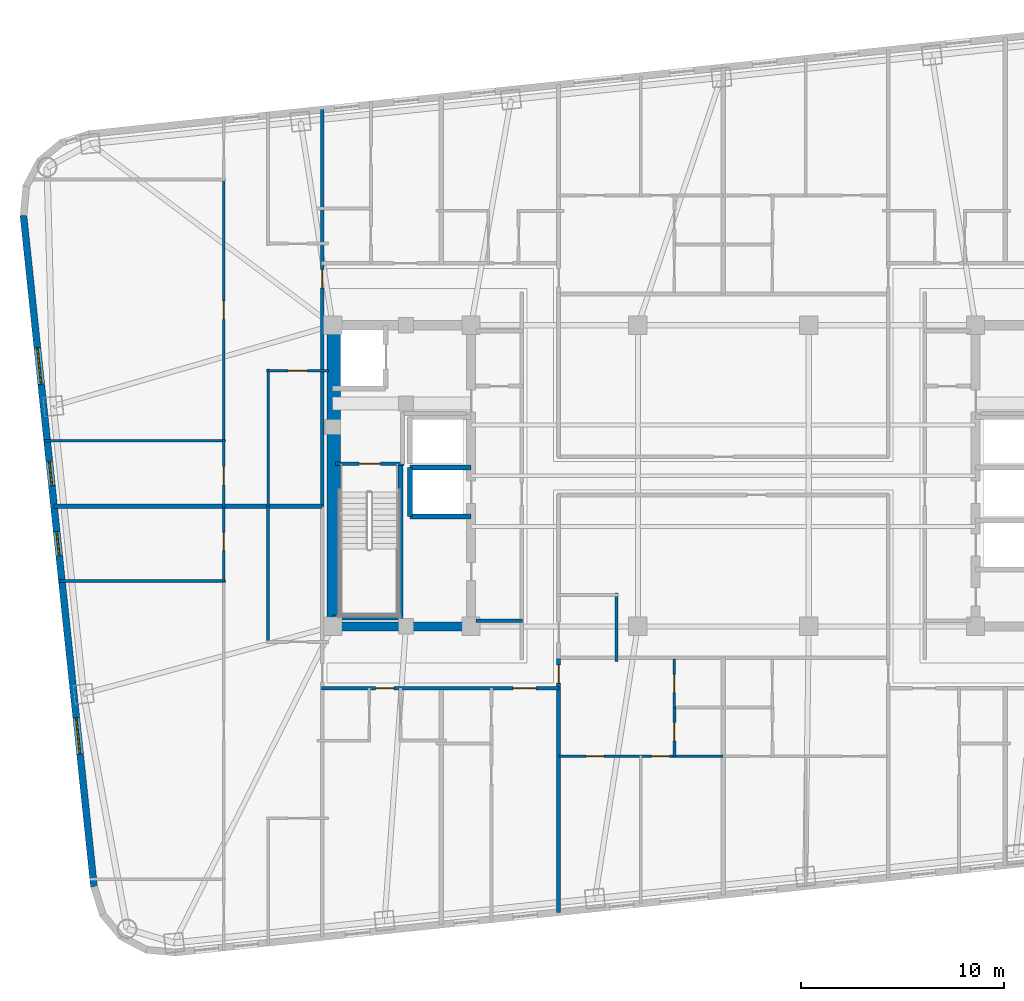
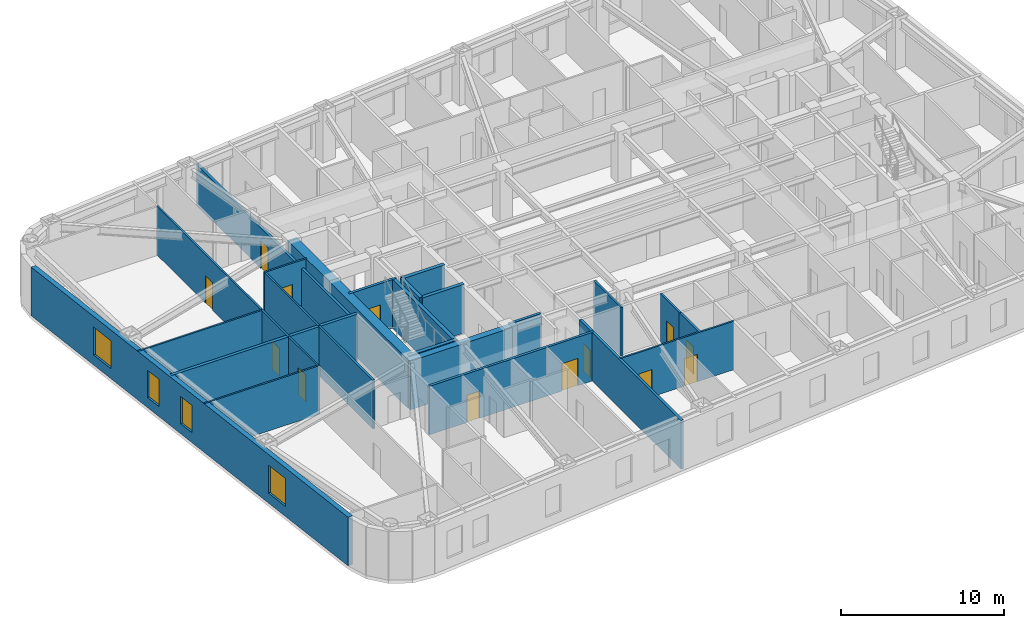
# One storey, part 3 of 12: 26 walls, 13 doors, 4 windows, 17 openings.
"""IFC4 building model written with IfcOpenShell, lengths in metres."""

from ifc_helpers import new_model, si_unit, direction, frame, frame_2d, origin, place, context, subcontext, project, spatial, rectangle, extrude, material, layer, layer_set, type_object, element, fill, save


model = new_model("IFC4")

# Units and contexts
model_context = context("Model", 3, precision=1e-05, world=origin(), true_north=direction((0.0, 1.0)))
body_context = subcontext(model_context, "Body", "Model", "MODEL_VIEW")
ifc_project = project(units=[si_unit("LENGTHUNIT", "METRE"), si_unit("AREAUNIT", "SQUARE_METRE"), si_unit("VOLUMEUNIT", "CUBIC_METRE"), si_unit("PLANEANGLEUNIT", "RADIAN"), si_unit("MASSUNIT", "GRAM", prefix="KILO")], contexts=[model_context])

# Site, building, storey
site_placement = place(None, origin())
site = spatial("IfcSite", under=ifc_project, at=site_placement, CompositionType="ELEMENT")
building_placement = place(site_placement, origin())
building = spatial("IfcBuilding", under=site, at=building_placement, Name="Voryun Gate Residences", CompositionType="ELEMENT")
storey_placement = place(building_placement, frame((0.0, 0.0, 159.89990234375)))
storey = spatial("IfcBuildingStorey", under=building, at=storey_placement, Name="L39", CompositionType="ELEMENT", Elevation=159.89990234375)

# Walls
ifc_material_1 = material(Name="Concrete C50/60", Category="concrete")
ifc_layer_1 = layer(ifc_material_1, 0.449951171875, Name="CW_CORE_450")
ifc_layer_set_1 = layer_set([ifc_layer_1], Name="Concrete C50/60")
wall_type_1 = type_object("IfcWallType", Name="CW_CORE_450", PredefinedType="SHEAR", material=ifc_layer_set_1)
wall_1_placement = place(storey_placement, frame((-19.425048828125, -7.39990234375, 0.0), z_axis=(0.0, 0.0, 1.0), x_axis=(1.0, 0.0, 0.0)))
element("IfcWall", 1, at=wall_1_placement, inside=storey, type_object=wall_type_1, Name="L39 Core shear wall CW-L39-WS", PredefinedType="SHEAR", context=body_context, shape_type="SweptSolid", body=[
    extrude(rectangle(XDim=7.25, YDim=0.449951171875, at=frame_2d((3.625, 0.0))), origin(), (0.0, 0.0, 1.0), 3.650146484375),
])
ifc_material_2 = material(Name="Concrete C60/75", Category="concrete")
ifc_layer_2 = layer(ifc_material_2, 0.64990234375, Name="CW_CORE_650")
ifc_layer_set_2 = layer_set([ifc_layer_2], Name="Concrete C60/75")
wall_type_2 = type_object("IfcWallType", Name="CW_CORE_650", PredefinedType="SHEAR", material=ifc_layer_set_2)
wall_2_placement = place(storey_placement, frame((-19.14501953125, -7.39990234375, 0.0), z_axis=(0.0, 0.0, 1.0), x_axis=(0.0, 1.0, 0.0)))
element("IfcWall", 2, at=wall_2_placement, inside=storey, type_object=wall_type_2, Name="L39 Core shear wall CW-L39-WW", PredefinedType="SHEAR", context=body_context, shape_type="SweptSolid", body=[
    extrude(rectangle(XDim=14.7998046875, YDim=0.64990234375, at=frame_2d((7.39990234375, 0.0))), origin(), (0.0, 0.0, 1.0), 3.650146484375),
])

# Wall, opening, door
ifc_material_3 = material(Name="Gypsum acoustic fireboard")
ifc_layer_3 = layer(ifc_material_3, 0.179931640625, Name="W_CORR_RATED_180")
ifc_layer_set_3 = layer_set([ifc_layer_3], Name="Gypsum acoustic fireboard")
wall_type_3 = type_object("IfcWallType", Name="W_CORR_RATED_180", PredefinedType="PARTITIONING", material=ifc_layer_set_3)
wall_3_placement = place(storey_placement, frame((-19.06005859375, 0.60009765625, 0.0), z_axis=(0.0, 0.0, 1.0), x_axis=(1.0, 0.0, 0.0)))
wall_3 = element("IfcWall", 3, at=wall_3_placement, inside=storey, type_object=wall_type_3, Name="Partition wall WP-L39-STV-W", PredefinedType="PARTITIONING", context=body_context, shape_type="SweptSolid", body=[
    extrude(rectangle(XDim=3.360107421875, YDim=0.179931640625, at=frame_2d((1.68017578125, 0.0))), origin(), (0.0, 0.0, 1.0), 3.650146484375),
])
opening_1_placement = place(wall_3_placement, frame((1.155029296875, 0.0, 0.0)))
opening_1 = element("IfcOpeningElement", 4, at=opening_1_placement, cuts=wall_3, Name="Opening D-FD60-1", PredefinedType="OPENING", context=body_context, shape_type="SweptSolid", body=[
    extrude(rectangle(XDim=1.050048828125, YDim=2.050048828125, at=frame_2d((0.52490234375, 1.02490234375))), frame((0.0, 0.099853515625, 0.0), z_axis=(0.0, -1.0, 0.0), x_axis=(1.0, 0.0, 0.0)), (0.0, 0.0, 1.0), 0.199951171875),
])
ifc_material_4 = material(Name="Painted steel fire door", Category="steel")
door_type_1 = type_object("IfcDoorType", Name="DR_FD60_STAIR_1050", OperationType="NOTDEFINED", PredefinedType="DOOR", material=ifc_material_4)
door_1_placement = place(opening_1_placement, origin())
door_1 = element("IfcDoor", 5, at=door_1_placement, inside=storey, type_object=door_type_1, Name="Door DR-L39-ST-W", OperationType="SINGLE_SWING_LEFT", OverallHeight=2.050048828125, OverallWidth=1.050048828125, PredefinedType="DOOR", context=body_context, shape_type="SweptSolid", body=[
    extrude(rectangle(XDim=1.050048828125, YDim=2.050048828125, at=frame_2d((0.52490234375, 1.02490234375))), frame((0.0, 0.02490234375, 0.0), z_axis=(0.0, -1.0, 0.0), x_axis=(1.0, 0.0, 0.0)), (0.0, 0.0, 1.0), 0.050048828125),
])
fill(opening_1, door_1)

# Wall
wall_4_placement = place(storey_placement, frame((-12.14990234375, -7.1201171875, 0.0), z_axis=(0.0, 0.0, 1.0), x_axis=(1.0, 0.0, 0.0)))
element("IfcWall", 6, at=wall_4_placement, inside=storey, type_object=wall_type_3, Name="Partition wall WP-L39-PLBS-W", PredefinedType="PARTITIONING", context=body_context, shape_type="SweptSolid", body=[
    extrude(rectangle(XDim=2.27001953125, YDim=0.179931640625, at=frame_2d((1.135009765625, 0.0))), origin(), (0.0, 0.0, 1.0), 3.650146484375),
])

# Wall, openings, doors
wall_5_placement = place(storey_placement, frame((-19.75, -10.449951171875, 0.0), z_axis=(0.0, 0.0, 1.0), x_axis=(1.0, 0.0, 0.0)))
wall_5 = element("IfcWall", 7, at=wall_5_placement, inside=storey, type_object=wall_type_3, Name="Partition wall WP-L39-SCORR-W", PredefinedType="PARTITIONING", context=body_context, shape_type="SweptSolid", body=[
    extrude(rectangle(XDim=11.669921875, YDim=0.179931640625, at=frame_2d((5.8349609375, 0.0))), origin(), (0.0, 0.0, 1.0), 3.650146484375),
])
opening_2_placement = place(wall_5_placement, frame((2.66357421875, 0.0, 0.0)))
opening_2 = element("IfcOpeningElement", 8, at=opening_2_placement, cuts=wall_5, Name="Opening D-INT-2", PredefinedType="OPENING", context=body_context, shape_type="SweptSolid", body=[
    extrude(rectangle(XDim=0.89990234375, YDim=2.050048828125, at=frame_2d((0.449951171875, 1.02490234375))), frame((0.0, 0.099853515625, 0.0), z_axis=(0.0, -1.0, 0.0), x_axis=(1.0, 0.0, 0.0)), (0.0, 0.0, 1.0), 0.199951171875),
])
opening_3_placement = place(wall_5_placement, frame((9.404052734375, 0.0, 0.0)))
opening_3 = element("IfcOpeningElement", 9, at=opening_3_placement, cuts=wall_5, Name="Opening D-UNIT-1", PredefinedType="OPENING", context=body_context, shape_type="SweptSolid", body=[
    extrude(rectangle(XDim=1.14990234375, YDim=2.050048828125, at=frame_2d((0.574951171875, 1.02490234375))), frame((0.0, 0.099853515625, 0.0), z_axis=(0.0, -1.0, 0.0), x_axis=(1.0, 0.0, 0.0)), (0.0, 0.0, 1.0), 0.199951171875),
])
ifc_material_5 = material(Name="Architectural oak veneer")
door_type_2 = type_object("IfcDoorType", Name="DR_INT_BATH_900", OperationType="NOTDEFINED", PredefinedType="DOOR", material=ifc_material_5)
door_2_placement = place(opening_2_placement, origin())
door_2 = element("IfcDoor", 10, at=door_2_placement, inside=storey, type_object=door_type_2, Name="Door DR-L39-SENT-1", OperationType="SINGLE_SWING_RIGHT", OverallHeight=2.050048828125, OverallWidth=0.89990234375, PredefinedType="DOOR", context=body_context, shape_type="SweptSolid", body=[
    extrude(rectangle(XDim=0.89990234375, YDim=2.050048828125, at=frame_2d((0.449951171875, 1.02490234375))), frame((0.0, 0.02490234375, 0.0), z_axis=(0.0, -1.0, 0.0), x_axis=(1.0, 0.0, 0.0)), (0.0, 0.0, 1.0), 0.050048828125),
])
fill(opening_2, door_2)
ifc_material_6 = material(Name="Armoured timber-clad fire door", Category="wood")
door_type_3 = type_object("IfcDoorType", Name="DR_UNIT_ENTRY_1150", OperationType="NOTDEFINED", PredefinedType="DOOR", material=ifc_material_6)
door_3_placement = place(opening_3_placement, origin())
door_3 = element("IfcDoor", 11, at=door_3_placement, inside=storey, type_object=door_type_3, Name="Door DR-L39-SENT-2", OperationType="SINGLE_SWING_LEFT", OverallHeight=2.050048828125, OverallWidth=1.14990234375, PredefinedType="DOOR", context=body_context, shape_type="SweptSolid", body=[
    extrude(rectangle(XDim=1.14990234375, YDim=2.050048828125, at=frame_2d((0.574951171875, 1.02490234375))), frame((0.0, 0.02490234375, 0.0), z_axis=(0.0, -1.0, 0.0), x_axis=(1.0, 0.0, 0.0)), (0.0, 0.0, 1.0), 0.050048828125),
])
fill(opening_3, door_3)

# Wall, opening, door
wall_6_placement = place(storey_placement, frame((-8.10009765625, -21.456298828125, 0.0), z_axis=(0.0, 0.0, 1.0), x_axis=(0.0, 1.0, 0.0)))
wall_6 = element("IfcWall", 12, at=wall_6_placement, inside=storey, type_object=wall_type_3, Name="Partition wall WP-L39-SZV-1", PredefinedType="PARTITIONING", context=body_context, shape_type="SweptSolid", body=[
    extrude(rectangle(XDim=12.516357421875, YDim=0.179931640625, at=frame_2d((6.25830078125, 0.0))), origin(), (0.0, 0.0, 1.0), 3.650146484375),
])
opening_4_placement = place(wall_6_placement, frame((11.2666015625, 0.0, 0.0)))
opening_4 = element("IfcOpeningElement", 13, at=opening_4_placement, cuts=wall_6, Name="Opening D-INT-2", PredefinedType="OPENING", context=body_context, shape_type="SweptSolid", body=[
    extrude(rectangle(XDim=0.89990234375, YDim=2.050048828125, at=frame_2d((0.449951171875, 1.02490234375))), frame((0.0, 0.099853515625, 0.0), z_axis=(0.0, -1.0, 0.0), x_axis=(1.0, 0.0, 0.0)), (0.0, 0.0, 1.0), 0.199951171875),
])
door_4_placement = place(opening_4_placement, origin())
door_4 = element("IfcDoor", 14, at=door_4_placement, inside=storey, type_object=door_type_2, Name="Door DR-L39-SZENT-1", OperationType="SINGLE_SWING_LEFT", OverallHeight=2.050048828125, OverallWidth=0.89990234375, PredefinedType="DOOR", context=body_context, shape_type="SweptSolid", body=[
    extrude(rectangle(XDim=0.89990234375, YDim=2.050048828125, at=frame_2d((0.449951171875, 1.02490234375))), frame((0.0, 0.02490234375, 0.0), z_axis=(0.0, -1.0, 0.0), x_axis=(1.0, 0.0, 0.0)), (0.0, 0.0, 1.0), 0.050048828125),
])
fill(opening_4, door_4)

wall_7_placement = place(storey_placement, frame((-19.719970703125, -1.5, 0.0), z_axis=(0.0, 0.0, 1.0), x_axis=(0.0, 1.0, 0.0)))
wall_7 = element("IfcWall", 15, at=wall_7_placement, inside=storey, type_object=wall_type_3, Name="Partition wall WP-L39-WCOR2", PredefinedType="PARTITIONING", context=body_context, shape_type="SweptSolid", body=[
    extrude(rectangle(XDim=19.505126953125, YDim=0.179931640625, at=frame_2d((9.75244140625, 0.0))), origin(), (0.0, 0.0, 1.0), 3.0400390625),
])
opening_5_placement = place(wall_7_placement, frame((10.730224609375, 0.0, 0.0)))
opening_5 = element("IfcOpeningElement", 16, at=opening_5_placement, cuts=wall_7, Name="Opening D-INT-2", PredefinedType="OPENING", context=body_context, shape_type="SweptSolid", body=[
    extrude(rectangle(XDim=0.89990234375, YDim=2.050048828125, at=frame_2d((0.449951171875, 1.02490234375))), frame((0.0, 0.099853515625, 0.0), z_axis=(0.0, -1.0, 0.0), x_axis=(1.0, 0.0, 0.0)), (0.0, 0.0, 1.0), 0.199951171875),
])
door_5_placement = place(opening_5_placement, origin())
door_5 = element("IfcDoor", 17, at=door_5_placement, inside=storey, type_object=door_type_2, Name="Door DR-L39-WE2", OperationType="SINGLE_SWING_RIGHT", OverallHeight=2.050048828125, OverallWidth=0.89990234375, PredefinedType="DOOR", context=body_context, shape_type="SweptSolid", body=[
    extrude(rectangle(XDim=0.89990234375, YDim=2.050048828125, at=frame_2d((0.449951171875, 1.02490234375))), frame((0.0, 0.02490234375, 0.0), z_axis=(0.0, -1.0, 0.0), x_axis=(1.0, 0.0, 0.0)), (0.0, 0.0, 1.0), 0.050048828125),
])
fill(opening_5, door_5)

# Wall, openings, windows
ifc_material_7 = material(Name="Charcoal terracotta masonry", Category="masonry")
ifc_layer_4 = layer(ifc_material_7, 0.340087890625, Name="W_EXT_TERRACOTTA_340")
ifc_layer_set_4 = layer_set([ifc_layer_4], Name="Charcoal terracotta masonry")
wall_type_4 = type_object("IfcWallType", Name="W_EXT_TERRACOTTA_340", PredefinedType="ELEMENTEDWALL", material=ifc_layer_set_4)
wall_8_placement = place(storey_placement, frame((-30.934326171875, -20.189697265625, 0.0), z_axis=(0.0, 0.0, 1.0), x_axis=(-0.10452691388, 0.994522058214, 0.0)))
wall_8 = element("IfcWall", 18, at=wall_8_placement, inside=storey, type_object=wall_type_4, Name="Exterior wall WEXT-L39-06", PredefinedType="ELEMENTEDWALL", context=body_context, shape_type="SweptSolid", body=[
    extrude(rectangle(XDim=33.16650390625, YDim=0.340087890625, at=frame_2d((16.583251953125, 0.0))), origin(), (0.0, 0.0, 1.0), 3.650146484375),
])
opening_6_placement = place(wall_8_placement, frame((6.54150390625, 0.0, 0.75)))
opening_6 = element("IfcOpeningElement", 19, at=opening_6_placement, cuts=wall_8, Name="Opening WN1", PredefinedType="OPENING", context=body_context, shape_type="SweptSolid", body=[
    extrude(rectangle(XDim=1.800048828125, YDim=2.10009765625, at=frame_2d((0.89990234375, 1.050048828125))), frame((0.0, 0.179931640625, 0.0), z_axis=(0.0, -1.0, 0.0), x_axis=(1.0, 0.0, 0.0)), (0.0, 0.0, 1.0), 0.360107421875),
])
opening_7_placement = place(wall_8_placement, frame((24.824951171875, 0.0, 0.75)))
opening_7 = element("IfcOpeningElement", 20, at=opening_7_placement, cuts=wall_8, Name="Opening WN1", PredefinedType="OPENING", context=body_context, shape_type="SweptSolid", body=[
    extrude(rectangle(XDim=1.800048828125, YDim=2.10009765625, at=frame_2d((0.89990234375, 1.050048828125))), frame((0.0, 0.179931640625, 0.0), z_axis=(0.0, -1.0, 0.0), x_axis=(1.0, 0.0, 0.0)), (0.0, 0.0, 1.0), 0.360107421875),
])
opening_8_placement = place(wall_8_placement, frame((16.344482421875, 0.0, 0.75)))
opening_8 = element("IfcOpeningElement", 21, at=opening_8_placement, cuts=wall_8, Name="Opening WN6", PredefinedType="OPENING", context=body_context, shape_type="SweptSolid", body=[
    extrude(rectangle(XDim=1.199951171875, YDim=2.050048828125, at=frame_2d((0.60009765625, 1.02490234375))), frame((0.0, 0.179931640625, 0.0), z_axis=(0.0, -1.0, 0.0), x_axis=(1.0, 0.0, 0.0)), (0.0, 0.0, 1.0), 0.360107421875),
])
opening_9_placement = place(wall_8_placement, frame((19.810546875, 0.0, 0.75)))
opening_9 = element("IfcOpeningElement", 22, at=opening_9_placement, cuts=wall_8, Name="Opening WN6", PredefinedType="OPENING", context=body_context, shape_type="SweptSolid", body=[
    extrude(rectangle(XDim=1.199951171875, YDim=2.050048828125, at=frame_2d((0.60009765625, 1.02490234375))), frame((0.0, 0.179931640625, 0.0), z_axis=(0.0, -1.0, 0.0), x_axis=(1.0, 0.0, 0.0)), (0.0, 0.0, 1.0), 0.360107421875),
])
ifc_material_8 = material(Name="Laminated low-E glass", Category="glass")
window_type_1 = type_object("IfcWindowType", Name="WN_POD_SLOT_1200", PartitioningType="SINGLE_PANEL", PredefinedType="WINDOW", material=ifc_material_8)
window_1_placement = place(opening_8_placement, origin())
window_1 = element("IfcWindow", 23, at=window_1_placement, inside=storey, type_object=window_type_1, Name="Window WN-L39-DWFIX-21", OverallHeight=2.050048828125, OverallWidth=1.199951171875, PartitioningType="SINGLE_PANEL", PredefinedType="WINDOW", context=body_context, shape_type="SweptSolid", body=[
    extrude(rectangle(XDim=1.199951171875, YDim=2.050048828125, at=frame_2d((0.60009765625, 1.02490234375))), frame((0.0, 0.030029296875, 0.0), z_axis=(0.0, -1.0, 0.0), x_axis=(1.0, 0.0, 0.0)), (0.0, 0.0, 1.0), 0.06005859375),
])
fill(opening_8, window_1)
window_2_placement = place(opening_9_placement, origin())
window_2 = element("IfcWindow", 24, at=window_2_placement, inside=storey, type_object=window_type_1, Name="Window WN-L39-DWFIX-25", OverallHeight=2.050048828125, OverallWidth=1.199951171875, PartitioningType="SINGLE_PANEL", PredefinedType="WINDOW", context=body_context, shape_type="SweptSolid", body=[
    extrude(rectangle(XDim=1.199951171875, YDim=2.050048828125, at=frame_2d((0.60009765625, 1.02490234375))), frame((0.0, 0.030029296875, 0.0), z_axis=(0.0, -1.0, 0.0), x_axis=(1.0, 0.0, 0.0)), (0.0, 0.0, 1.0), 0.06005859375),
])
fill(opening_9, window_2)
ifc_material_9 = material(Name="Laminated low-E glass", Category="glass")
window_type_2 = type_object("IfcWindowType", Name="WN_RES_PUNCH_1800", PartitioningType="SINGLE_PANEL", PredefinedType="WINDOW", material=ifc_material_9)
window_3_placement = place(opening_6_placement, origin())
window_3 = element("IfcWindow", 25, at=window_3_placement, inside=storey, type_object=window_type_2, Name="Window WN-WEXT-L39-06-01", OverallHeight=2.10009765625, OverallWidth=1.800048828125, PartitioningType="SINGLE_PANEL", PredefinedType="WINDOW", context=body_context, shape_type="SweptSolid", body=[
    extrude(rectangle(XDim=1.800048828125, YDim=2.10009765625, at=frame_2d((0.89990234375, 1.050048828125))), frame((0.0, 0.030029296875, 0.0), z_axis=(0.0, -1.0, 0.0), x_axis=(1.0, 0.0, 0.0)), (0.0, 0.0, 1.0), 0.06005859375),
])
fill(opening_6, window_3)
window_4_placement = place(opening_7_placement, origin())
window_4 = element("IfcWindow", 26, at=window_4_placement, inside=storey, type_object=window_type_2, Name="Window WN-WEXT-L39-06-02", OverallHeight=2.10009765625, OverallWidth=1.800048828125, PartitioningType="SINGLE_PANEL", PredefinedType="WINDOW", context=body_context, shape_type="SweptSolid", body=[
    extrude(rectangle(XDim=1.800048828125, YDim=2.10009765625, at=frame_2d((0.89990234375, 1.050048828125))), frame((0.0, 0.030029296875, 0.0), z_axis=(0.0, -1.0, 0.0), x_axis=(1.0, 0.0, 0.0)), (0.0, 0.0, 1.0), 0.06005859375),
])
fill(opening_7, window_4)

# Walls
ifc_material_10 = material(Name="Concrete C40/50", Category="concrete")
ifc_layer_5 = layer(ifc_material_10, 0.219970703125, Name="W_PARTY_ACOUSTIC_220")
ifc_layer_set_5 = layer_set([ifc_layer_5], Name="Concrete C40/50")
wall_type_5 = type_object("IfcWallType", Name="W_PARTY_ACOUSTIC_220", PredefinedType="PARTITIONING", material=ifc_layer_set_5)
wall_9_placement = place(storey_placement, frame((-19.719970703125, -1.5, 0.0), z_axis=(0.0, 0.0, 1.0), x_axis=(-1.0, 0.0, 0.0)))
element("IfcWall", 27, at=wall_9_placement, inside=storey, type_object=wall_type_5, Name="Partition wall WP-L39-WPTY", PredefinedType="PARTITIONING", context=body_context, shape_type="SweptSolid", body=[
    extrude(rectangle(XDim=13.1787109375, YDim=0.219970703125, at=frame_2d((6.58935546875, 0.0))), origin(), (0.0, 0.0, 1.0), 3.650146484375),
])
ifc_material_11 = material(Name="Concrete C50/60", Category="concrete")
ifc_layer_6 = layer(ifc_material_11, 0.25, Name="W_SHAFT_RC250")
ifc_layer_set_6 = layer_set([ifc_layer_6], Name="Concrete C50/60")
wall_type_6 = type_object("IfcWallType", Name="W_SHAFT_RC250", PredefinedType="SOLIDWALL", material=ifc_layer_set_6)
wall_10_placement = place(storey_placement, frame((-15.860107421875, -7.0849609375, 0.0), z_axis=(0.0, 0.0, 1.0), x_axis=(0.0, 1.0, 0.0)))
element("IfcWall", 28, at=wall_10_placement, inside=storey, type_object=wall_type_6, Name="L39 Stair shaft structural wall W-STR", PredefinedType="SOLIDWALL", context=body_context, shape_type="SweptSolid", body=[
    extrude(rectangle(XDim=7.68505859375, YDim=0.25, at=frame_2d((3.842529296875, 0.0))), origin(), (0.0, 0.0, 1.0), 3.650146484375),
])
wall_11_placement = place(storey_placement, frame((-19.199951171875, -6.965087890625, 0.0), z_axis=(0.0, 0.0, 1.0), x_axis=(1.0, 0.0, 0.0)))
element("IfcWall", 29, at=wall_11_placement, inside=storey, type_object=wall_type_6, Name="L39 Stair shaft structural wall W-STS", PredefinedType="SOLIDWALL", context=body_context, shape_type="SweptSolid", body=[
    extrude(rectangle(XDim=3.4599609375, YDim=0.25, at=frame_2d((1.72998046875, 0.0))), origin(), (0.0, 0.0, 1.0), 3.650146484375),
])
for number, where, z_axis, x_axis, name in (
    (30, (-15.39990234375, -2.0, 0.0), (0.0, 0.0, 1.0), (1.0, 0.0, 0.0), "Lift shaft wall WSH-L39-EL-P4-S"),
    (31, (-12.39990234375, 0.39990234375, 0.0), (0.0, 0.0, 1.0), (-1.0, 0.0, 0.0), "Lift shaft wall WSH-L39-EL-P4-N"),
):
    element("IfcWall", number, at=place(storey_placement, frame(where, z_axis=z_axis, x_axis=x_axis)), inside=storey, type_object=wall_type_6, Name=name, PredefinedType="SOLIDWALL", context=body_context, shape_type="SweptSolid", body=[
        extrude(rectangle(XDim=3.0, YDim=0.25, at=frame_2d((1.5, 0.0))), origin(), (0.0, 0.0, 1.0), 3.650146484375),
    ])
wall_12_placement = place(storey_placement, frame((-15.39990234375, 0.39990234375, 0.0), z_axis=(0.0, 0.0, 1.0), x_axis=(0.0, -1.0, 0.0)))
element("IfcWall", 32, at=wall_12_placement, inside=storey, type_object=wall_type_6, Name="Lift shaft wall WSH-L39-EL-P4-W", PredefinedType="SOLIDWALL", context=body_context, shape_type="SweptSolid", body=[
    extrude(rectangle(XDim=2.39990234375, YDim=0.25, at=frame_2d((1.199951171875, 0.0))), origin(), (0.0, 0.0, 1.0), 3.650146484375),
])

# Wall, openings, doors
ifc_material_12 = material(Name="Gypsum acoustic partition")
ifc_layer_7 = layer(ifc_material_12, 0.125, Name="W_UNIT_PART_125")
ifc_layer_set_7 = layer_set([ifc_layer_7], Name="Gypsum acoustic partition")
wall_type_7 = type_object("IfcWallType", Name="W_UNIT_PART_125", PredefinedType="PARTITIONING", material=ifc_layer_set_7)
wall_13_placement = place(storey_placement, frame((-8.080078125, -13.780029296875, 0.0), z_axis=(0.0, 0.0, 1.0), x_axis=(1.0, 0.0, 0.0)))
wall_13 = element("IfcWall", 33, at=wall_13_placement, inside=storey, type_object=wall_type_7, Name="Partition wall WP-L39-SC1-HZ", PredefinedType="PARTITIONING", context=body_context, shape_type="SweptSolid", body=[
    extrude(rectangle(XDim=8.06005859375, YDim=0.125, at=frame_2d((4.030029296875, 0.0))), origin(), (0.0, 0.0, 1.0), 3.650146484375),
])
opening_10_placement = place(wall_13_placement, frame((1.3232421875, 0.0, 0.0)))
opening_10 = element("IfcOpeningElement", 34, at=opening_10_placement, cuts=wall_13, Name="Opening D-INT-2", PredefinedType="OPENING", context=body_context, shape_type="SweptSolid", body=[
    extrude(rectangle(XDim=0.89990234375, YDim=2.050048828125, at=frame_2d((0.449951171875, 1.02490234375))), frame((0.0, 0.072509765625, 0.0), z_axis=(0.0, -1.0, 0.0), x_axis=(1.0, 0.0, 0.0)), (0.0, 0.0, 1.0), 0.14501953125),
])
opening_11_placement = place(wall_13_placement, frame((4.547119140625, 0.0, 0.0)))
opening_11 = element("IfcOpeningElement", 35, at=opening_11_placement, cuts=wall_13, Name="Opening D-INT-2", PredefinedType="OPENING", context=body_context, shape_type="SweptSolid", body=[
    extrude(rectangle(XDim=0.89990234375, YDim=2.050048828125, at=frame_2d((0.449951171875, 1.02490234375))), frame((0.0, 0.072509765625, 0.0), z_axis=(0.0, -1.0, 0.0), x_axis=(1.0, 0.0, 0.0)), (0.0, 0.0, 1.0), 0.14501953125),
])
door_6_placement = place(opening_10_placement, origin())
door_6 = element("IfcDoor", 36, at=door_6_placement, inside=storey, type_object=door_type_2, Name="Door DR-L39-SC1-DMB", OperationType="SINGLE_SWING_LEFT", OverallHeight=2.050048828125, OverallWidth=0.89990234375, PredefinedType="DOOR", context=body_context, shape_type="SweptSolid", body=[
    extrude(rectangle(XDim=0.89990234375, YDim=2.050048828125, at=frame_2d((0.449951171875, 1.02490234375))), frame((0.0, 0.02490234375, 0.0), z_axis=(0.0, -1.0, 0.0), x_axis=(1.0, 0.0, 0.0)), (0.0, 0.0, 1.0), 0.050048828125),
])
fill(opening_10, door_6)
door_7_placement = place(opening_11_placement, origin())
door_7 = element("IfcDoor", 37, at=door_7_placement, inside=storey, type_object=door_type_2, Name="Door DR-L39-SC1-DBD2", OperationType="SINGLE_SWING_RIGHT", OverallHeight=2.050048828125, OverallWidth=0.89990234375, PredefinedType="DOOR", context=body_context, shape_type="SweptSolid", body=[
    extrude(rectangle(XDim=0.89990234375, YDim=2.050048828125, at=frame_2d((0.449951171875, 1.02490234375))), frame((0.0, 0.02490234375, 0.0), z_axis=(0.0, -1.0, 0.0), x_axis=(1.0, 0.0, 0.0)), (0.0, 0.0, 1.0), 0.050048828125),
])
fill(opening_11, door_7)

# Wall, opening, door
wall_14_placement = place(storey_placement, frame((-2.409912109375, -11.409912109375, 0.0), z_axis=(0.0, 0.0, 1.0), x_axis=(0.0, 1.0, 0.0)))
wall_14 = element("IfcWall", 38, at=wall_14_placement, inside=storey, type_object=wall_type_7, Name="Partition wall WP-L39-SC1-VK1", PredefinedType="PARTITIONING", context=body_context, shape_type="SweptSolid", body=[
    extrude(rectangle(XDim=2.409912109375, YDim=0.125, at=frame_2d((1.205078125, 0.0))), origin(), (0.0, 0.0, 1.0), 3.650146484375),
])
opening_12_placement = place(wall_14_placement, frame((0.7548828125, 0.0, 0.0)))
opening_12 = element("IfcOpeningElement", 39, at=opening_12_placement, cuts=wall_14, Name="Opening D-INT-2", PredefinedType="OPENING", context=body_context, shape_type="SweptSolid", body=[
    extrude(rectangle(XDim=0.89990234375, YDim=2.050048828125, at=frame_2d((0.449951171875, 1.02490234375))), frame((0.0, 0.072509765625, 0.0), z_axis=(0.0, -1.0, 0.0), x_axis=(1.0, 0.0, 0.0)), (0.0, 0.0, 1.0), 0.14501953125),
])
door_8_placement = place(opening_12_placement, origin())
door_8 = element("IfcDoor", 40, at=door_8_placement, inside=storey, type_object=door_type_2, Name="Door DR-L39-SC1-DK", OperationType="SINGLE_SWING_LEFT", OverallHeight=2.050048828125, OverallWidth=0.89990234375, PredefinedType="DOOR", context=body_context, shape_type="SweptSolid", body=[
    extrude(rectangle(XDim=0.89990234375, YDim=2.050048828125, at=frame_2d((0.449951171875, 1.02490234375))), frame((0.0, 0.02490234375, 0.0), z_axis=(0.0, -1.0, 0.0), x_axis=(1.0, 0.0, 0.0)), (0.0, 0.0, 1.0), 0.050048828125),
])
fill(opening_12, door_8)

# Wall
wall_15_placement = place(storey_placement, frame((-32.66357421875, -5.1708984375, 0.0), z_axis=(0.0, 0.0, 1.0), x_axis=(1.0, 0.0, 0.0)))
element("IfcWall", 41, at=wall_15_placement, inside=storey, type_object=wall_type_7, Name="Partition wall WP-L39-W1-OH2", PredefinedType="PARTITIONING", context=body_context, shape_type="SweptSolid", body=[
    extrude(rectangle(XDim=8.193603515625, YDim=0.125, at=frame_2d((4.0966796875, 0.0))), origin(), (0.0, 0.0, 1.0), 3.650146484375),
])

# Wall, opening, door
wall_16_placement = place(storey_placement, frame((-24.550048828125, -5.220947265625, 0.0), z_axis=(0.0, 0.0, 1.0), x_axis=(0.0, 1.0, 0.0)))
wall_16 = element("IfcWall", 42, at=wall_16_placement, inside=storey, type_object=wall_type_7, Name="Partition wall WP-L39-W1-OVX3", PredefinedType="PARTITIONING", context=body_context, shape_type="SweptSolid", body=[
    extrude(rectangle(XDim=3.783447265625, YDim=0.125, at=frame_2d((1.8916015625, 0.0))), origin(), (0.0, 0.0, 1.0), 3.650146484375),
])
opening_13_placement = place(wall_16_placement, frame((1.54052734375, 0.0, 0.0)))
opening_13 = element("IfcOpeningElement", 43, at=opening_13_placement, cuts=wall_16, Name="Opening D-INT-2", PredefinedType="OPENING", context=body_context, shape_type="SweptSolid", body=[
    extrude(rectangle(XDim=0.89990234375, YDim=2.050048828125, at=frame_2d((0.449951171875, 1.02490234375))), frame((0.0, 0.072509765625, 0.0), z_axis=(0.0, -1.0, 0.0), x_axis=(1.0, 0.0, 0.0)), (0.0, 0.0, 1.0), 0.14501953125),
])
door_9_placement = place(opening_13_placement, origin())
door_9 = element("IfcDoor", 44, at=door_9_placement, inside=storey, type_object=door_type_2, Name="Door DR-L39-W1-DMB", OperationType="SINGLE_SWING_LEFT", OverallHeight=2.050048828125, OverallWidth=0.89990234375, PredefinedType="DOOR", context=body_context, shape_type="SweptSolid", body=[
    extrude(rectangle(XDim=0.89990234375, YDim=2.050048828125, at=frame_2d((0.449951171875, 1.02490234375))), frame((0.0, 0.02490234375, 0.0), z_axis=(0.0, -1.0, 0.0), x_axis=(1.0, 0.0, 0.0)), (0.0, 0.0, 1.0), 0.050048828125),
])
fill(opening_13, door_9)

# Wall
wall_17_placement = place(storey_placement, frame((-33.38818359375, 1.722900390625, 0.0), z_axis=(0.0, 0.0, 1.0), x_axis=(1.0, 0.0, 0.0)))
element("IfcWall", 45, at=wall_17_placement, inside=storey, type_object=wall_type_7, Name="Partition wall WP-L39-W2-OH1", PredefinedType="PARTITIONING", context=body_context, shape_type="SweptSolid", body=[
    extrude(rectangle(XDim=8.918212890625, YDim=0.125, at=frame_2d((4.458984375, 0.0))), origin(), (0.0, 0.0, 1.0), 3.650146484375),
])

# Wall, opening, door
wall_18_placement = place(storey_placement, frame((-24.550048828125, -1.5625, 0.0), z_axis=(0.0, 0.0, 1.0), x_axis=(0.0, 1.0, 0.0)))
wall_18 = element("IfcWall", 46, at=wall_18_placement, inside=storey, type_object=wall_type_7, Name="Partition wall WP-L39-W2-OVX1", PredefinedType="PARTITIONING", context=body_context, shape_type="SweptSolid", body=[
    extrude(rectangle(XDim=3.33544921875, YDim=0.125, at=frame_2d((1.667724609375, 0.0))), origin(), (0.0, 0.0, 1.0), 3.650146484375),
])
opening_14_placement = place(wall_18_placement, frame((1.118896484375, 0.0, 0.0)))
opening_14 = element("IfcOpeningElement", 47, at=opening_14_placement, cuts=wall_18, Name="Opening D-INT-2", PredefinedType="OPENING", context=body_context, shape_type="SweptSolid", body=[
    extrude(rectangle(XDim=0.89990234375, YDim=2.050048828125, at=frame_2d((0.449951171875, 1.02490234375))), frame((0.0, 0.072509765625, 0.0), z_axis=(0.0, -1.0, 0.0), x_axis=(1.0, 0.0, 0.0)), (0.0, 0.0, 1.0), 0.14501953125),
])
door_10_placement = place(opening_14_placement, origin())
door_10 = element("IfcDoor", 48, at=door_10_placement, inside=storey, type_object=door_type_2, Name="Door DR-L39-W2-DBD2", OperationType="SINGLE_SWING_LEFT", OverallHeight=2.050048828125, OverallWidth=0.89990234375, PredefinedType="DOOR", context=body_context, shape_type="SweptSolid", body=[
    extrude(rectangle(XDim=0.89990234375, YDim=2.050048828125, at=frame_2d((0.449951171875, 1.02490234375))), frame((0.0, 0.02490234375, 0.0), z_axis=(0.0, -1.0, 0.0), x_axis=(1.0, 0.0, 0.0)), (0.0, 0.0, 1.0), 0.050048828125),
])
fill(opening_14, door_10)

wall_19_placement = place(storey_placement, frame((-24.550048828125, 1.673095703125, 0.0), z_axis=(0.0, 0.0, 1.0), x_axis=(0.0, 1.0, 0.0)))
wall_19 = element("IfcWall", 49, at=wall_19_placement, inside=storey, type_object=wall_type_7, Name="Partition wall WP-L39-W2-OVX2", PredefinedType="PARTITIONING", context=body_context, shape_type="SweptSolid", body=[
    extrude(rectangle(XDim=12.94189453125, YDim=0.125, at=frame_2d((6.470947265625, 0.0))), origin(), (0.0, 0.0, 1.0), 3.650146484375),
])
opening_15_placement = place(wall_19_placement, frame((6.02099609375, 0.0, 0.0)))
opening_15 = element("IfcOpeningElement", 50, at=opening_15_placement, cuts=wall_19, Name="Opening D-INT-2", PredefinedType="OPENING", context=body_context, shape_type="SweptSolid", body=[
    extrude(rectangle(XDim=0.89990234375, YDim=2.050048828125, at=frame_2d((0.449951171875, 1.02490234375))), frame((0.0, 0.072509765625, 0.0), z_axis=(0.0, -1.0, 0.0), x_axis=(1.0, 0.0, 0.0)), (0.0, 0.0, 1.0), 0.14501953125),
])
door_11_placement = place(opening_15_placement, origin())
door_11 = element("IfcDoor", 51, at=door_11_placement, inside=storey, type_object=door_type_2, Name="Door DR-L39-W2-DSTD", OperationType="SINGLE_SWING_RIGHT", OverallHeight=2.050048828125, OverallWidth=0.89990234375, PredefinedType="DOOR", context=body_context, shape_type="SweptSolid", body=[
    extrude(rectangle(XDim=0.89990234375, YDim=2.050048828125, at=frame_2d((0.449951171875, 1.02490234375))), frame((0.0, 0.02490234375, 0.0), z_axis=(0.0, -1.0, 0.0), x_axis=(1.0, 0.0, 0.0)), (0.0, 0.0, 1.0), 0.050048828125),
])
fill(opening_15, door_11)

wall_20_placement = place(storey_placement, frame((-22.449951171875, 5.159912109375, 0.0), z_axis=(0.0, 0.0, 1.0), x_axis=(1.0, 0.0, 0.0)))
wall_20 = element("IfcWall", 52, at=wall_20_placement, inside=storey, type_object=wall_type_7, Name="Partition wall WP-L39-W2-IKA", PredefinedType="PARTITIONING", context=body_context, shape_type="SweptSolid", body=[
    extrude(rectangle(XDim=3.050048828125, YDim=0.125, at=frame_2d((1.52490234375, 0.0))), origin(), (0.0, 0.0, 1.0), 3.650146484375),
])
opening_16_placement = place(wall_20_placement, frame((1.050048828125, 0.0, 0.0)))
opening_16 = element("IfcOpeningElement", 53, at=opening_16_placement, cuts=wall_20, Name="Opening D-INT-1", PredefinedType="OPENING", context=body_context, shape_type="SweptSolid", body=[
    extrude(rectangle(XDim=0.949951171875, YDim=2.050048828125, at=frame_2d((0.47509765625, 1.02490234375))), frame((0.0, 0.072509765625, 0.0), z_axis=(0.0, -1.0, 0.0), x_axis=(1.0, 0.0, 0.0)), (0.0, 0.0, 1.0), 0.14501953125),
])
ifc_material_13 = material(Name="Architectural oak veneer")
door_type_4 = type_object("IfcDoorType", Name="DR_INT_ROOM_950", OperationType="NOTDEFINED", PredefinedType="DOOR", material=ifc_material_13)
door_12_placement = place(opening_16_placement, origin())
door_12 = element("IfcDoor", 54, at=door_12_placement, inside=storey, type_object=door_type_4, Name="Door DR-L39-W2-DK", OperationType="SINGLE_SWING_LEFT", OverallHeight=2.050048828125, OverallWidth=0.949951171875, PredefinedType="DOOR", context=body_context, shape_type="SweptSolid", body=[
    extrude(rectangle(XDim=0.949951171875, YDim=2.050048828125, at=frame_2d((0.47509765625, 1.02490234375))), frame((0.0, 0.02490234375, 0.0), z_axis=(0.0, -1.0, 0.0), x_axis=(1.0, 0.0, 0.0)), (0.0, 0.0, 1.0), 0.050048828125),
])
fill(opening_16, door_12)

# Walls
wall_21_placement = place(storey_placement, frame((-22.3701171875, -1.47998046875, 0.0), z_axis=(0.0, 0.0, 1.0), x_axis=(0.0, 1.0, 0.0)))
element("IfcWall", 55, at=wall_21_placement, inside=storey, type_object=wall_type_7, Name="Partition wall WP-L39-W2-VTA", PredefinedType="PARTITIONING", context=body_context, shape_type="SweptSolid", body=[
    extrude(rectangle(XDim=6.719970703125, YDim=0.125, at=frame_2d((3.35986328125, 0.0))), origin(), (0.0, 0.0, 1.0), 3.650146484375),
])
ifc_material_14 = material(Name="Gypsum moisture-resistant partition")
ifc_layer_8 = layer(ifc_material_14, 0.14990234375, Name="W_WET_PLUMB_150")
ifc_layer_set_8 = layer_set([ifc_layer_8], Name="Gypsum moisture-resistant partition")
wall_type_8 = type_object("IfcWallType", Name="W_WET_PLUMB_150", PredefinedType="PLUMBINGWALL", material=ifc_layer_set_8)
wall_22_placement = place(storey_placement, frame((-5.260009765625, -9.1201171875, 0.0), z_axis=(0.0, 0.0, 1.0), x_axis=(0.0, 1.0, 0.0)))
element("IfcWall", 56, at=wall_22_placement, inside=storey, type_object=wall_type_8, Name="Partition wall WP-L39-CMWCX", PredefinedType="PLUMBINGWALL", context=body_context, shape_type="SweptSolid", body=[
    extrude(rectangle(XDim=3.35009765625, YDim=0.14990234375, at=frame_2d((1.675048828125, 0.0))), origin(), (0.0, 0.0, 1.0), 3.650146484375),
])

# Wall, opening, door
wall_23_placement = place(storey_placement, frame((-2.409912109375, -13.820068359375, 0.0), z_axis=(0.0, 0.0, 1.0), x_axis=(0.0, 1.0, 0.0)))
wall_23 = element("IfcWall", 57, at=wall_23_placement, inside=storey, type_object=wall_type_8, Name="Partition wall WP-L39-SC1-VK2", PredefinedType="PLUMBINGWALL", context=body_context, shape_type="SweptSolid", body=[
    extrude(rectangle(XDim=2.469970703125, YDim=0.14990234375, at=frame_2d((1.23486328125, 0.0))), origin(), (0.0, 0.0, 1.0), 3.650146484375),
])
opening_17_placement = place(wall_23_placement, frame((0.784912109375, 0.0, 0.0)))
opening_17 = element("IfcOpeningElement", 58, at=opening_17_placement, cuts=wall_23, Name="Opening D-INT-2", PredefinedType="OPENING", context=body_context, shape_type="SweptSolid", body=[
    extrude(rectangle(XDim=0.89990234375, YDim=2.050048828125, at=frame_2d((0.449951171875, 1.02490234375))), frame((0.0, 0.0849609375, 0.0), z_axis=(0.0, -1.0, 0.0), x_axis=(1.0, 0.0, 0.0)), (0.0, 0.0, 1.0), 0.169921875),
])
door_13_placement = place(opening_17_placement, origin())
door_13 = element("IfcDoor", 59, at=door_13_placement, inside=storey, type_object=door_type_2, Name="Door DR-L39-SC1-DB", OperationType="SINGLE_SWING_RIGHT", OverallHeight=2.050048828125, OverallWidth=0.89990234375, PredefinedType="DOOR", context=body_context, shape_type="SweptSolid", body=[
    extrude(rectangle(XDim=0.89990234375, YDim=2.050048828125, at=frame_2d((0.449951171875, 1.02490234375))), frame((0.0, 0.02490234375, 0.0), z_axis=(0.0, -1.0, 0.0), x_axis=(1.0, 0.0, 0.0)), (0.0, 0.0, 1.0), 0.050048828125),
])
fill(opening_17, door_13)

# Wall
wall_24_placement = place(storey_placement, frame((-22.3701171875, -8.239990234375, 0.0), z_axis=(0.0, 0.0, 1.0), x_axis=(0.0, 1.0, 0.0)))
element("IfcWall", 60, at=wall_24_placement, inside=storey, type_object=wall_type_8, Name="Partition wall WP-L39-W1-VTB", PredefinedType="PLUMBINGWALL", context=body_context, shape_type="SweptSolid", body=[
    extrude(rectangle(XDim=6.719970703125, YDim=0.14990234375, at=frame_2d((3.35986328125, 0.0))), origin(), (0.0, 0.0, 1.0), 3.650146484375),
])

save(model, "model.ifc")
